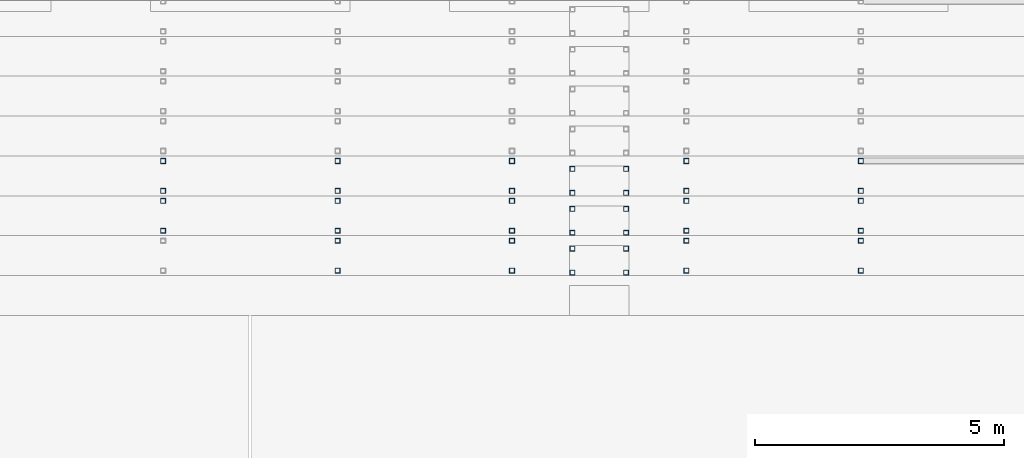
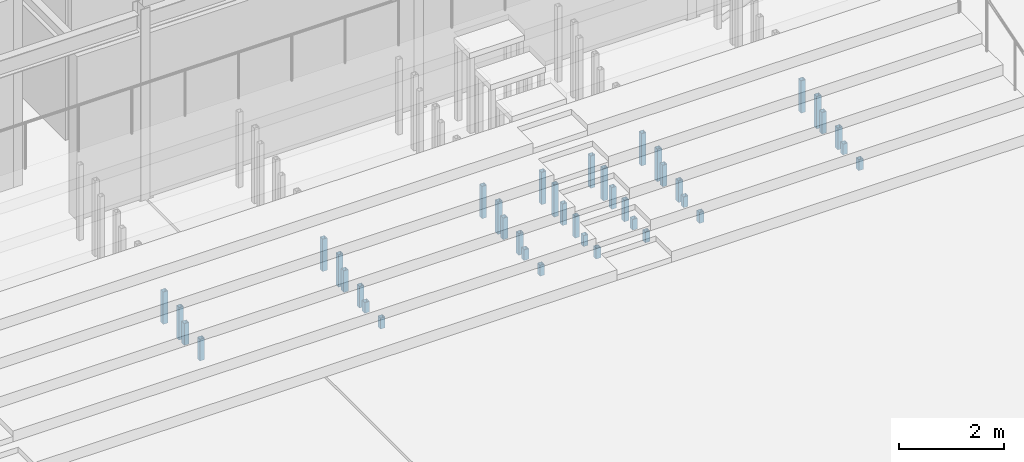
# One storey, part 63 of 139: 40 members.
"""IFC4 building model written with IfcOpenShell, lengths in metres."""

from ifc_helpers import new_model, si_unit, direction, frame, origin, origin_2d, place, context, subcontext, project, spatial, hollow_rectangle, extrude, material, material_profile, profile_set, type_object, element, save


model = new_model("IFC4")

# Units and contexts
model_context = context("Model", 3, precision=1e-05, world=origin(), true_north=direction((0.0, 1.0)))
body_context = subcontext(model_context, "Body", "Model", "MODEL_VIEW")
ifc_project = project(units=[si_unit("LENGTHUNIT", "METRE"), si_unit("AREAUNIT", "SQUARE_METRE"), si_unit("VOLUMEUNIT", "CUBIC_METRE"), si_unit("PLANEANGLEUNIT", "RADIAN"), si_unit("MASSUNIT", "GRAM", prefix="KILO")], contexts=[model_context])

# Site, building, storey
site_placement = place(None, origin())
site = spatial("IfcSite", under=ifc_project, at=site_placement, CompositionType="ELEMENT")
building_placement = place(site_placement, origin())
building = spatial("IfcBuilding", under=site, at=building_placement, Name="Verrick Yard Athletic Hall", CompositionType="ELEMENT")
storey_placement = place(building_placement, origin())
storey = spatial("IfcBuildingStorey", under=building, at=storey_placement, Name="L00", CompositionType="ELEMENT", Elevation=0.0)

# Members
ifc_material = material(Name="Structural steel HSS Class C 350W (CSA G40.20/G40.21)", Category="steel")
ifc_material_profile = material_profile(ifc_material, hollow_rectangle(XDim=0.1015625, YDim=0.1015625, WallThickness=0.00634765625, at=origin_2d()), Name="HSS102x102x6.4")
ifc_profile_set = profile_set([ifc_material_profile], Name="Structural steel HSS Class C 350W (CSA G40.20/G40.21)")
member_type = type_object("IfcMemberType", Name="HB seating post HSS102x102x6.4", PredefinedType="POST", material=ifc_profile_set)
for number, where, z_axis, x_axis, name in (
    (1, (58.459716796875, 94.659912109375, 0.0), (0.0, 0.0, 1.0), (0.0, 1.0, 0.0), "HB-SP-RSB1-A2S2a"),
    (2, (59.53955078125, 94.659912109375, 0.0), (0.0, 0.0, 1.0), (0.0, 1.0, 0.0), "HB-SP-RSB1-A2S2b"),
    (3, (58.459716796875, 95.139892578125, 0.0), (0.0, 0.0, 1.0), (0.0, 1.0, 0.0), "HB-SP-RSB1-A2S2c"),
    (4, (59.53955078125, 95.139892578125, 0.0), (0.0, 0.0, 1.0), (0.0, 1.0, 0.0), "HB-SP-RSB1-A2S2d"),
    (5, (53.75, 94.699951171875, 0.0), (0.0, 0.0, 1.0), (0.0, 1.0, 0.0), "HB-SP-RSB1-T2f6"),
    (6, (57.249755859375, 94.699951171875, 0.0), (0.0, 0.0, 1.0), (0.0, 1.0, 0.0), "HB-SP-RSB1-T2f7"),
    (7, (60.74951171875, 94.699951171875, 0.0), (0.0, 0.0, 1.0), (0.0, 1.0, 0.0), "HB-SP-RSB1-T2f8"),
    (8, (64.249267578125, 94.699951171875, 0.0), (0.0, 0.0, 1.0), (0.0, 1.0, 0.0), "HB-SP-RSB1-T2f9"),
    (9, (53.75, 95.300048828125, 0.0), (0.0, 0.0, 1.0), (0.0, 1.0, 0.0), "HB-SP-RSB1-T2b6"),
    (10, (57.249755859375, 95.300048828125, 0.0), (0.0, 0.0, 1.0), (0.0, 1.0, 0.0), "HB-SP-RSB1-T2b7"),
    (11, (60.74951171875, 95.300048828125, 0.0), (0.0, 0.0, 1.0), (0.0, 1.0, 0.0), "HB-SP-RSB1-T2b8"),
    (12, (64.249267578125, 95.300048828125, 0.0), (0.0, 0.0, 1.0), (0.0, 1.0, 0.0), "HB-SP-RSB1-T2b9"),
):
    element("IfcMember", number, at=place(storey_placement, frame(where, z_axis=z_axis, x_axis=x_axis)), inside=storey, type_object=member_type, Name=name, PredefinedType="POST", context=body_context, shape_type="SweptSolid", body=[
        extrude(hollow_rectangle(XDim=0.1015625, YDim=0.1015625, WallThickness=0.00634765625, at=origin_2d()), origin(), (0.0, 0.0, 1.0), 0.25),
    ])
for number, where, z_axis, x_axis, name in (
    (13, (58.459716796875, 95.4599609375, 0.0), (0.0, 0.0, 1.0), (0.0, 1.0, 0.0), "HB-SP-RSB1-A2S3a"),
    (14, (59.53955078125, 95.4599609375, 0.0), (0.0, 0.0, 1.0), (0.0, 1.0, 0.0), "HB-SP-RSB1-A2S3b"),
    (15, (58.459716796875, 95.93994140625, 0.0), (0.0, 0.0, 1.0), (0.0, 1.0, 0.0), "HB-SP-RSB1-A2S3c"),
    (16, (59.53955078125, 95.93994140625, 0.0), (0.0, 0.0, 1.0), (0.0, 1.0, 0.0), "HB-SP-RSB1-A2S3d"),
    (17, (50.25, 95.5, 0.0), (0.0, 0.0, 1.0), (0.0, 1.0, 0.0), "HB-SP-RSB1-T3f5"),
    (18, (53.75, 95.5, 0.0), (0.0, 0.0, 1.0), (0.0, 1.0, 0.0), "HB-SP-RSB1-T3f6"),
    (19, (57.249755859375, 95.5, 0.0), (0.0, 0.0, 1.0), (0.0, 1.0, 0.0), "HB-SP-RSB1-T3f7"),
    (20, (60.74951171875, 95.5, 0.0), (0.0, 0.0, 1.0), (0.0, 1.0, 0.0), "HB-SP-RSB1-T3f8"),
    (21, (64.249267578125, 95.5, 0.0), (0.0, 0.0, 1.0), (0.0, 1.0, 0.0), "HB-SP-RSB1-T3f9"),
    (22, (50.25, 96.10009765625, 0.0), (0.0, 0.0, 1.0), (0.0, 1.0, 0.0), "HB-SP-RSB1-T3b5"),
    (23, (53.75, 96.10009765625, 0.0), (0.0, 0.0, 1.0), (0.0, 1.0, 0.0), "HB-SP-RSB1-T3b6"),
    (24, (57.249755859375, 96.10009765625, 0.0), (0.0, 0.0, 1.0), (0.0, 1.0, 0.0), "HB-SP-RSB1-T3b7"),
    (25, (60.74951171875, 96.10009765625, 0.0), (0.0, 0.0, 1.0), (0.0, 1.0, 0.0), "HB-SP-RSB1-T3b8"),
    (26, (64.249267578125, 96.10009765625, 0.0), (0.0, 0.0, 1.0), (0.0, 1.0, 0.0), "HB-SP-RSB1-T3b9"),
):
    element("IfcMember", number, at=place(storey_placement, frame(where, z_axis=z_axis, x_axis=x_axis)), inside=storey, type_object=member_type, Name=name, PredefinedType="POST", context=body_context, shape_type="SweptSolid", body=[
        extrude(hollow_rectangle(XDim=0.1015625, YDim=0.1015625, WallThickness=0.00634765625, at=origin_2d()), origin(), (0.0, 0.0, 1.0), 0.5),
    ])
for number, where, z_axis, x_axis, name in (
    (27, (58.459716796875, 96.260009765625, 0.0), (0.0, 0.0, 1.0), (0.0, 1.0, 0.0), "HB-SP-RSB1-A2S4a"),
    (28, (59.53955078125, 96.260009765625, 0.0), (0.0, 0.0, 1.0), (0.0, 1.0, 0.0), "HB-SP-RSB1-A2S4b"),
    (29, (58.459716796875, 96.739990234375, 0.0), (0.0, 0.0, 1.0), (0.0, 1.0, 0.0), "HB-SP-RSB1-A2S4c"),
    (30, (59.53955078125, 96.739990234375, 0.0), (0.0, 0.0, 1.0), (0.0, 1.0, 0.0), "HB-SP-RSB1-A2S4d"),
    (31, (50.25, 96.300048828125, 0.0), (0.0, 0.0, 1.0), (0.0, 1.0, 0.0), "HB-SP-RSB1-T4f5"),
    (32, (53.75, 96.300048828125, 0.0), (0.0, 0.0, 1.0), (0.0, 1.0, 0.0), "HB-SP-RSB1-T4f6"),
    (33, (57.249755859375, 96.300048828125, 0.0), (0.0, 0.0, 1.0), (0.0, 1.0, 0.0), "HB-SP-RSB1-T4f7"),
    (34, (60.74951171875, 96.300048828125, 0.0), (0.0, 0.0, 1.0), (0.0, 1.0, 0.0), "HB-SP-RSB1-T4f8"),
    (35, (64.249267578125, 96.300048828125, 0.0), (0.0, 0.0, 1.0), (0.0, 1.0, 0.0), "HB-SP-RSB1-T4f9"),
    (36, (50.25, 96.89990234375, 0.0), (0.0, 0.0, 1.0), (0.0, 1.0, 0.0), "HB-SP-RSB1-T4b5"),
    (37, (53.75, 96.89990234375, 0.0), (0.0, 0.0, 1.0), (0.0, 1.0, 0.0), "HB-SP-RSB1-T4b6"),
    (38, (57.249755859375, 96.89990234375, 0.0), (0.0, 0.0, 1.0), (0.0, 1.0, 0.0), "HB-SP-RSB1-T4b7"),
    (39, (60.74951171875, 96.89990234375, 0.0), (0.0, 0.0, 1.0), (0.0, 1.0, 0.0), "HB-SP-RSB1-T4b8"),
    (40, (64.249267578125, 96.89990234375, 0.0), (0.0, 0.0, 1.0), (0.0, 1.0, 0.0), "HB-SP-RSB1-T4b9"),
):
    element("IfcMember", number, at=place(storey_placement, frame(where, z_axis=z_axis, x_axis=x_axis)), inside=storey, type_object=member_type, Name=name, PredefinedType="POST", context=body_context, shape_type="SweptSolid", body=[
        extrude(hollow_rectangle(XDim=0.1015625, YDim=0.1015625, WallThickness=0.00634765625, at=origin_2d()), origin(), (0.0, 0.0, 1.0), 0.75),
    ])

save(model, "model.ifc")
